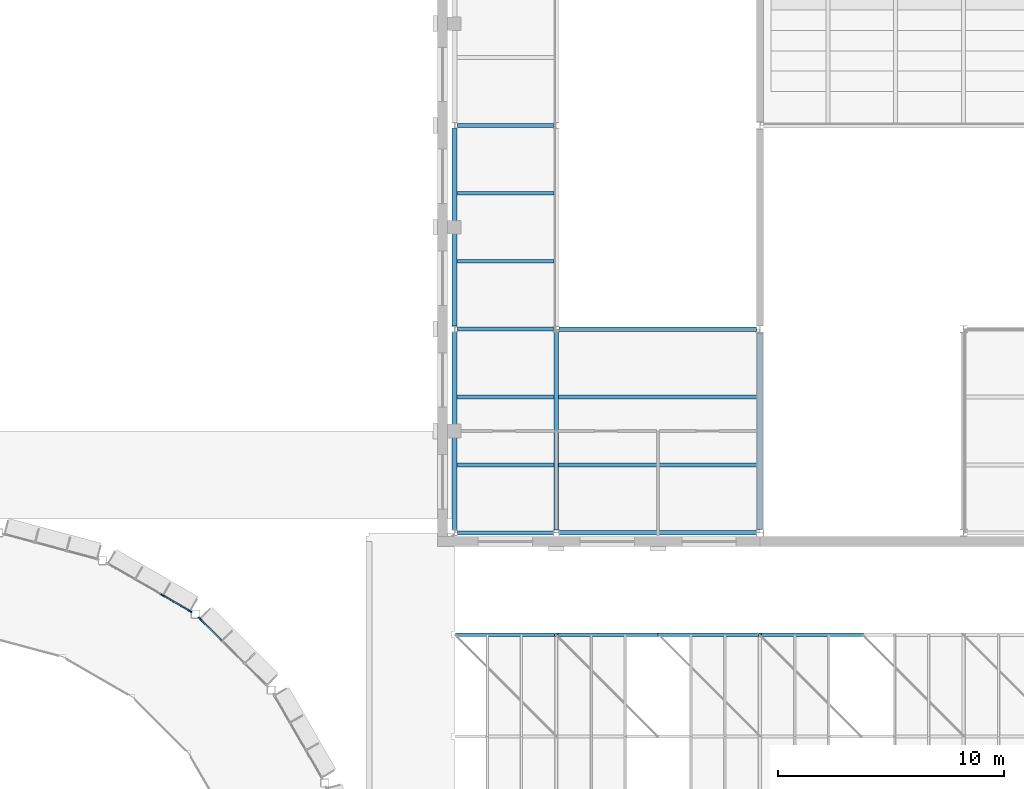
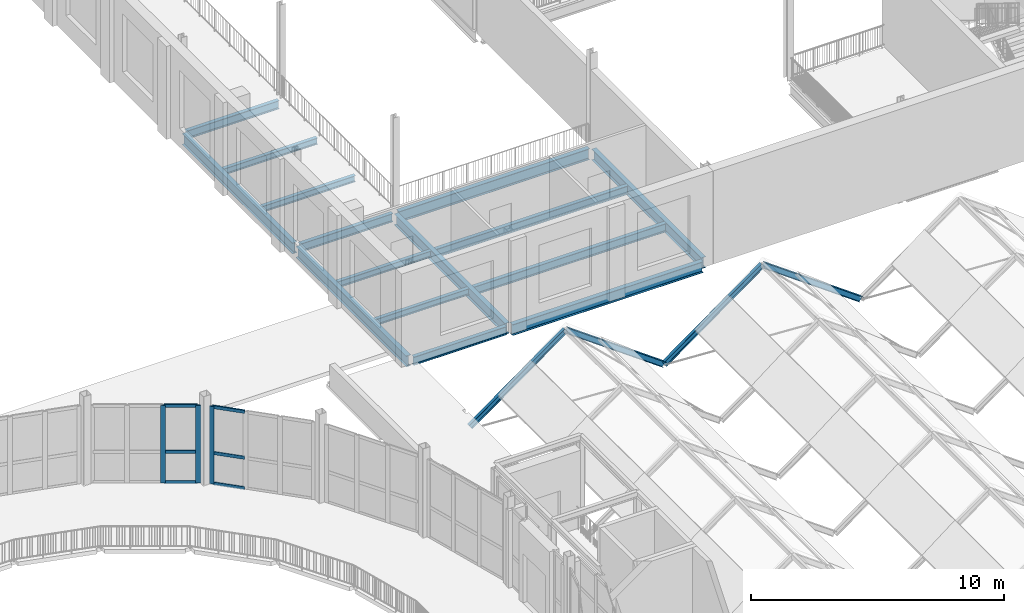
# One storey, part 24 of 74: 19 beams, 9 members, 2 elements without a shape of their own.
"""IFC4 building model written with IfcOpenShell, lengths in metres."""

from ifc_helpers import new_model, si_unit, direction, frame, origin, origin_2d, place, context, subcontext, project, spatial, rectangle, i_section, extrude, material, layer, layer_set, material_profile, profile_set, type_object, element, aggregate, save


model = new_model("IFC4")

# Units and contexts
model_context = context("Model", 3, precision=1e-05, world=origin(), true_north=direction((0.0, 1.0)))
body_context = subcontext(model_context, "Body", "Model", "MODEL_VIEW")
ifc_project = project(units=[si_unit("LENGTHUNIT", "METRE"), si_unit("AREAUNIT", "SQUARE_METRE"), si_unit("VOLUMEUNIT", "CUBIC_METRE"), si_unit("PLANEANGLEUNIT", "RADIAN"), si_unit("MASSUNIT", "GRAM", prefix="KILO")], contexts=[model_context])

# Site, building, storey
site_placement = place(None, origin())
site = spatial("IfcSite", under=ifc_project, at=site_placement, CompositionType="ELEMENT")
building_placement = place(site_placement, origin())
building = spatial("IfcBuilding", under=site, at=building_placement, Name="Hortulan Conservatory and Botanical Research Centre", CompositionType="ELEMENT")
storey_placement = place(building_placement, frame((0.0, 0.0, 6.0)))
storey = spatial("IfcBuildingStorey", under=building, at=storey_placement, Name="L01", CompositionType="ELEMENT", Elevation=6.0)

# Curtain wall, member
ifc_material_1 = material(Name="Bronze-finished aluminium", Category="aluminium")
ifc_layer = layer(ifc_material_1, 0.10009765625)
ifc_layer_set = layer_set([ifc_layer], Name="Bronze-framed Curtain Wall 1500 module")
curtain_wall_type = type_object("IfcCurtainWallType", Name="Bronze-framed Curtain Wall 1500 module", PredefinedType="NOTDEFINED", material=ifc_layer_set)
curtain_wall_1_placement = place(storey_placement, origin())
curtain_wall_1 = element("IfcCurtainWall", 1, at=curtain_wall_1_placement, inside=storey, type_object=curtain_wall_type, Name="Curtain wall", PredefinedType="NOTDEFINED")
ifc_material_profile_1 = material_profile(ifc_material_1, rectangle(XDim=0.06005859375, YDim=0.199951171875, at=origin_2d()), Name="Bronze Mullion 60x200")
ifc_profile_set_1 = profile_set([ifc_material_profile_1], Name="Bronze-finished aluminium")
member_type_1 = type_object("IfcMemberType", Name="Bronze Mullion 60x200", PredefinedType="MULLION", material=ifc_profile_set_1)
member_1_placement = place(storey_placement, frame((65.248291015625, 32.207763671875, 0.0), z_axis=(0.0, 0.0, 1.0), x_axis=(0.707106781187, 0.707106781187, 0.0)))
member_1 = element("IfcMember", 2, at=member_1_placement, type_object=member_type_1, Name="CW1 mullion 1", PredefinedType="MULLION", context=body_context, shape_type="SweptSolid", body=[
    extrude(rectangle(XDim=0.06005859375, YDim=0.199951171875, at=origin_2d()), origin(), (0.0, 0.0, 1.0), 3.75),
])

# Curtain wall, members
curtain_wall_2_placement = place(storey_placement, origin())
curtain_wall_2 = element("IfcCurtainWall", 3, at=curtain_wall_2_placement, inside=storey, type_object=curtain_wall_type, Name="Curtain wall", PredefinedType="NOTDEFINED")
member_2_placement = place(storey_placement, frame((63.614990234375, 33.2333984375, 0.0), z_axis=(0.0, 0.0, 1.0), x_axis=(0.499981160235, 0.866036280655, 0.0)))
member_2 = element("IfcMember", 4, at=member_2_placement, type_object=member_type_1, Name="CW1 mullion 3", PredefinedType="MULLION", context=body_context, shape_type="SweptSolid", body=[
    extrude(rectangle(XDim=0.06005859375, YDim=0.199951171875, at=origin_2d()), origin(), (0.0, 0.0, 1.0), 3.75),
])
member_3_placement = place(storey_placement, frame((64.81884765625, 32.538330078125, 0.0), z_axis=(0.0, 0.0, 1.0), x_axis=(0.499981160235, 0.866036280655, 0.0)))
member_3 = element("IfcMember", 5, at=member_3_placement, type_object=member_type_1, Name="CW1 mullion 4", PredefinedType="MULLION", context=body_context, shape_type="SweptSolid", body=[
    extrude(rectangle(XDim=0.06005859375, YDim=0.199951171875, at=origin_2d()), origin(), (0.0, 0.0, 1.0), 3.75),
])

# Member
ifc_material_profile_2 = material_profile(ifc_material_1, rectangle(XDim=0.06005859375, YDim=0.14990234375, at=origin_2d()), Name="Bronze Transom 60x150")
ifc_profile_set_2 = profile_set([ifc_material_profile_2], Name="Bronze-finished aluminium")
member_type_2 = type_object("IfcMemberType", Name="Bronze Transom 60x150", PredefinedType="USERDEFINED", material=ifc_profile_set_2)
member_4_placement = place(storey_placement, frame((65.26953125, 32.1865234375, 0.030029296875), z_axis=(0.707014644009, -0.70719890636, 0.0), x_axis=(0.70719890636, 0.707014644009, 0.0)))
member_4 = element("IfcMember", 6, at=member_4_placement, type_object=member_type_2, Name="CW1 transom 1.1", ObjectType="TRANSOM", PredefinedType="USERDEFINED", context=body_context, shape_type="SweptSolid", body=[
    extrude(rectangle(XDim=0.06005859375, YDim=0.14990234375, at=origin_2d()), origin(), (0.0, 0.0, 1.0), 1.324951171875),
])

member_5_placement = place(storey_placement, frame((65.26953125, 32.1865234375, 1.5), z_axis=(0.707014644009, -0.70719890636, 0.0), x_axis=(0.70719890636, 0.707014644009, 0.0)))
member_5 = element("IfcMember", 7, at=member_5_placement, type_object=member_type_2, Name="CW1 transom 1.2", ObjectType="TRANSOM", PredefinedType="USERDEFINED", context=body_context, shape_type="SweptSolid", body=[
    extrude(rectangle(XDim=0.06005859375, YDim=0.14990234375, at=origin_2d()), origin(), (0.0, 0.0, 1.0), 1.324951171875),
])

member_6_placement = place(storey_placement, frame((65.26953125, 32.1865234375, 3.719970703125), z_axis=(0.707014644009, -0.70719890636, 0.0), x_axis=(0.70719890636, 0.707014644009, 0.0)))
member_6 = element("IfcMember", 8, at=member_6_placement, type_object=member_type_2, Name="CW1 transom 1.3", ObjectType="TRANSOM", PredefinedType="USERDEFINED", context=body_context, shape_type="SweptSolid", body=[
    extrude(rectangle(XDim=0.06005859375, YDim=0.14990234375, at=origin_2d()), origin(), (0.0, 0.0, 1.0), 1.324951171875),
])

aggregate(curtain_wall_1, [member_1, member_4, member_5, member_6])

member_7_placement = place(storey_placement, frame((63.640869140625, 33.218505859375, 0.030029296875), z_axis=(0.866066400931, -0.499928984136, 0.0), x_axis=(0.499928984136, 0.866066400931, 0.0)))
member_7 = element("IfcMember", 9, at=member_7_placement, type_object=member_type_2, Name="CW1 transom 3.1", ObjectType="TRANSOM", PredefinedType="USERDEFINED", context=body_context, shape_type="SweptSolid", body=[
    extrude(rectangle(XDim=0.06005859375, YDim=0.14990234375, at=origin_2d()), origin(), (0.0, 0.0, 1.0), 1.330322265625),
])

member_8_placement = place(storey_placement, frame((63.640869140625, 33.218505859375, 1.5), z_axis=(0.866066400931, -0.499928984136, 0.0), x_axis=(0.499928984136, 0.866066400931, 0.0)))
member_8 = element("IfcMember", 10, at=member_8_placement, type_object=member_type_2, Name="CW1 transom 3.2", ObjectType="TRANSOM", PredefinedType="USERDEFINED", context=body_context, shape_type="SweptSolid", body=[
    extrude(rectangle(XDim=0.06005859375, YDim=0.14990234375, at=origin_2d()), origin(), (0.0, 0.0, 1.0), 1.330322265625),
])

member_9_placement = place(storey_placement, frame((63.640869140625, 33.218505859375, 3.719970703125), z_axis=(0.866066400931, -0.499928984136, 0.0), x_axis=(0.499928984136, 0.866066400931, 0.0)))
member_9 = element("IfcMember", 11, at=member_9_placement, type_object=member_type_2, Name="CW1 transom 3.3", ObjectType="TRANSOM", PredefinedType="USERDEFINED", context=body_context, shape_type="SweptSolid", body=[
    extrude(rectangle(XDim=0.06005859375, YDim=0.14990234375, at=origin_2d()), origin(), (0.0, 0.0, 1.0), 1.330322265625),
])

aggregate(curtain_wall_2, [member_2, member_3, member_7, member_8, member_9])

# Beams
ifc_material_2 = material(Name="Steel Grade 300PLUS (AS/NZS 3679.1, 280 MPa minimum yield)", Category="steel")
ifc_material_profile_3 = material_profile(ifc_material_2, i_section(OverallWidth=0.14599609375, OverallDepth=0.251953125, WebThickness=0.006103515625, FlangeThickness=0.008544921875, FilletRadius=0.0087890625, at=origin_2d()), Name="250UB31.4")
ifc_profile_set_3 = profile_set([ifc_material_profile_3], Name="Steel Grade 300PLUS (AS/NZS 3679.1, 280 MPa minimum yield)")
beam_type_1 = type_object("IfcBeamType", Name="Climate House Rafter 250UB31.4", PredefinedType="BEAM", material=ifc_profile_set_3)
beam_1_placement = place(storey_placement, frame((76.625, 31.5, -0.806396484375), z_axis=(0.811435560969, 0.0, 0.584441896508), x_axis=(0.0, 1.0, 0.0)))
element("IfcBeam", 12, at=beam_1_placement, inside=storey, type_object=beam_type_1, Name="Temperate Glasshouse rafter west frame 8", PredefinedType="BEAM", context=body_context, shape_type="SweptSolid", body=[
    extrude(i_section(OverallWidth=0.14599609375, OverallDepth=0.251953125, WebThickness=0.006103515625, FlangeThickness=0.008544921875, FilletRadius=0.0087890625, at=origin_2d()), origin(), (0.0, 0.0, 1.0), 5.3916015625),
])
for number, where, z_axis, x_axis, name in (
    (13, (85.5, 31.5, -0.896484375), (-0.811430788987, 0.0, 0.584448521842), (0.0, -1.0, 0.0), "Temperate Glasshouse rafter east frame 8"),
    (14, (85.5, 31.5, -0.896484375), (0.811430788987, 0.0, 0.584448521842), (0.0, 1.0, 0.0), "Arid Glasshouse rafter west frame 8"),
    (15, (94.5, 31.5, -0.896484375), (-0.811430788987, 0.0, 0.584448521842), (0.0, -1.0, 0.0), "Arid Glasshouse rafter east frame 8"),
):
    element("IfcBeam", number, at=place(storey_placement, frame(where, z_axis=z_axis, x_axis=x_axis)), inside=storey, type_object=beam_type_1, Name=name, PredefinedType="BEAM", context=body_context, shape_type="SweptSolid", body=[
        extrude(i_section(OverallWidth=0.14599609375, OverallDepth=0.251953125, WebThickness=0.006103515625, FlangeThickness=0.008544921875, FilletRadius=0.0087890625, at=origin_2d()), origin(), (0.0, 0.0, 1.0), 5.545654296875),
    ])
ifc_material_profile_4 = material_profile(ifc_material_2, i_section(OverallWidth=0.177978515625, OverallDepth=0.403076171875, WebThickness=0.007568359375, FlangeThickness=0.010986328125, FilletRadius=0.011474609375, at=origin_2d()), Name="410UB53.7")
ifc_profile_set_4 = profile_set([ifc_material_profile_4], Name="Steel Grade 300PLUS (AS/NZS 3679.1, 280 MPa minimum yield)")
beam_type_2 = type_object("IfcBeamType", Name="Primary Beam 410UB53.7", PredefinedType="BEAM", material=ifc_profile_set_4)
beam_2_placement = place(storey_placement, frame((76.6279296875, 36.0, -0.33154296875), z_axis=(1.0, 0.0, 0.0), x_axis=(0.0, 1.0, 0.0)))
element("IfcBeam", 16, at=beam_2_placement, inside=storey, type_object=beam_type_2, Name="410UB53.7 girder", PredefinedType="BEAM", context=body_context, shape_type="SweptSolid", body=[
    extrude(i_section(OverallWidth=0.177978515625, OverallDepth=0.403076171875, WebThickness=0.007568359375, FlangeThickness=0.010986328125, FilletRadius=0.011474609375, at=origin_2d()), origin(), (0.0, 0.0, 1.0), 4.2421875),
])
for number, where, z_axis, x_axis, name in (
    (17, (76.6279296875, 45.0, -0.33154296875), (1.0, 0.0, 0.0), (0.0, 1.0, 0.0), "410UB53.7 girder"),
    (18, (76.6279296875, 54.0, -0.33154296875), (1.0, 0.0, 0.0), (0.0, 1.0, 0.0), "410UB53.7 girder"),
):
    element("IfcBeam", number, at=place(storey_placement, frame(where, z_axis=z_axis, x_axis=x_axis)), inside=storey, type_object=beam_type_2, Name=name, PredefinedType="BEAM", context=body_context, shape_type="SweptSolid", body=[
        extrude(i_section(OverallWidth=0.177978515625, OverallDepth=0.403076171875, WebThickness=0.007568359375, FlangeThickness=0.010986328125, FilletRadius=0.011474609375, at=origin_2d()), origin(), (0.0, 0.0, 1.0), 4.244140625),
    ])
ifc_material_profile_5 = material_profile(ifc_material_2, i_section(OverallWidth=0.208984375, OverallDepth=0.528076171875, WebThickness=0.009521484375, FlangeThickness=0.01318359375, FilletRadius=0.013916015625, at=origin_2d()), Name="530UB82.0")
ifc_profile_set_5 = profile_set([ifc_material_profile_5], Name="Steel Grade 300PLUS (AS/NZS 3679.1, 280 MPa minimum yield)")
beam_type_3 = type_object("IfcBeamType", Name="Primary Beam 530UB82.0", PredefinedType="BEAM", material=ifc_profile_set_5)
for number, where, z_axis, x_axis, name in (
    (19, (76.5, 36.1298828125, -0.39404296875), (0.0, 1.0, 0.0), (-1.0, 0.0, 0.0), "530UB82.0 girder"),
    (20, (76.5, 45.1298828125, -0.39404296875), (0.0, 1.0, 0.0), (-1.0, 0.0, 0.0), "530UB82.0 girder"),
):
    element("IfcBeam", number, at=place(storey_placement, frame(where, z_axis=z_axis, x_axis=x_axis)), inside=storey, type_object=beam_type_3, Name=name, PredefinedType="BEAM", context=body_context, shape_type="SweptSolid", body=[
        extrude(i_section(OverallWidth=0.208984375, OverallDepth=0.528076171875, WebThickness=0.009521484375, FlangeThickness=0.01318359375, FilletRadius=0.013916015625, at=origin_2d()), origin(), (0.0, 0.0, 1.0), 8.740234375),
    ])
beam_3_placement = place(storey_placement, frame((81.1298828125, 36.0, -0.39404296875), z_axis=(1.0, 0.0, 0.0), x_axis=(0.0, 1.0, 0.0)))
element("IfcBeam", 21, at=beam_3_placement, inside=storey, type_object=beam_type_3, Name="530UB82.0 girder", PredefinedType="BEAM", context=body_context, shape_type="SweptSolid", body=[
    extrude(i_section(OverallWidth=0.208984375, OverallDepth=0.528076171875, WebThickness=0.009521484375, FlangeThickness=0.01318359375, FilletRadius=0.013916015625, at=origin_2d()), origin(), (0.0, 0.0, 1.0), 8.709716796875),
])
beam_4_placement = place(storey_placement, frame((81.1279296875, 45.0, -0.39404296875), z_axis=(1.0, 0.0, 0.0), x_axis=(0.0, 1.0, 0.0)))
element("IfcBeam", 22, at=beam_4_placement, inside=storey, type_object=beam_type_3, Name="530UB82.0 girder", PredefinedType="BEAM", context=body_context, shape_type="SweptSolid", body=[
    extrude(i_section(OverallWidth=0.208984375, OverallDepth=0.528076171875, WebThickness=0.009521484375, FlangeThickness=0.01318359375, FilletRadius=0.013916015625, at=origin_2d()), origin(), (0.0, 0.0, 1.0), 8.717529296875),
])
beam_5_placement = place(storey_placement, frame((90.0, 36.154541015625, -0.39404296875), z_axis=(0.0, 1.0, 0.0), x_axis=(-1.0, 0.0, 0.0)))
element("IfcBeam", 23, at=beam_5_placement, inside=storey, type_object=beam_type_3, Name="530UB82.0 girder", PredefinedType="BEAM", context=body_context, shape_type="SweptSolid", body=[
    extrude(i_section(OverallWidth=0.208984375, OverallDepth=0.528076171875, WebThickness=0.009521484375, FlangeThickness=0.01318359375, FilletRadius=0.013916015625, at=origin_2d()), origin(), (0.0, 0.0, 1.0), 8.68505859375),
])
ifc_material_profile_6 = material_profile(ifc_material_2, i_section(OverallWidth=0.208984375, OverallDepth=0.532958984375, WebThickness=0.01025390625, FlangeThickness=0.015625, FilletRadius=0.013916015625, at=origin_2d()), Name="530UB92.4")
ifc_profile_set_6 = profile_set([ifc_material_profile_6], Name="Steel Grade 300PLUS (AS/NZS 3679.1, 280 MPa minimum yield)")
beam_type_4 = type_object("IfcBeamType", Name="Primary Beam 530UB92.4", PredefinedType="BEAM", material=ifc_profile_set_6)
beam_6_placement = place(storey_placement, frame((81.0, 36.1279296875, -0.396484375), z_axis=(0.0, 1.0, 0.0), x_axis=(-1.0, 0.0, 0.0)))
element("IfcBeam", 24, at=beam_6_placement, inside=storey, type_object=beam_type_4, Name="530UB92.4 girder", PredefinedType="BEAM", context=body_context, shape_type="SweptSolid", body=[
    extrude(i_section(OverallWidth=0.208984375, OverallDepth=0.532958984375, WebThickness=0.01025390625, FlangeThickness=0.015625, FilletRadius=0.013916015625, at=origin_2d()), origin(), (0.0, 0.0, 1.0), 8.7421875),
])
ifc_material_profile_7 = material_profile(ifc_material_2, i_section(OverallWidth=0.1650390625, OverallDepth=0.303955078125, WebThickness=0.006103515625, FlangeThickness=0.01025390625, FilletRadius=0.011474609375, at=origin_2d()), Name="310UB40.4")
ifc_profile_set_7 = profile_set([ifc_material_profile_7], Name="Steel Grade 300PLUS (AS/NZS 3679.1, 280 MPa minimum yield)")
beam_type_5 = type_object("IfcBeamType", Name="Secondary Beam 310UB40.4", PredefinedType="JOIST", material=ifc_profile_set_7)
for number, where, z_axis, x_axis, name in (
    (25, (76.6044921875, 39.0, -0.281982421875), (1.0, 0.0, 0.0), (0.0, 1.0, 0.0), "310UB40.4 secondary beam"),
    (26, (76.6044921875, 42.0, -0.281982421875), (1.0, 0.0, 0.0), (0.0, 1.0, 0.0), "310UB40.4 secondary beam"),
    (27, (76.6044921875, 48.0, -0.281982421875), (1.0, 0.0, 0.0), (0.0, 1.0, 0.0), "310UB40.4 secondary beam"),
    (28, (76.6044921875, 51.0, -0.281982421875), (1.0, 0.0, 0.0), (0.0, 1.0, 0.0), "310UB40.4 secondary beam"),
):
    element("IfcBeam", number, at=place(storey_placement, frame(where, z_axis=z_axis, x_axis=x_axis)), inside=storey, type_object=beam_type_5, Name=name, PredefinedType="JOIST", context=body_context, shape_type="SweptSolid", body=[
        extrude(i_section(OverallWidth=0.1650390625, OverallDepth=0.303955078125, WebThickness=0.006103515625, FlangeThickness=0.01025390625, FilletRadius=0.011474609375, at=origin_2d()), origin(), (0.0, 0.0, 1.0), 4.291015625),
    ])
ifc_material_profile_8 = material_profile(ifc_material_2, i_section(OverallWidth=0.177978515625, OverallDepth=0.406005859375, WebThickness=0.0078125, FlangeThickness=0.0126953125, FilletRadius=0.011474609375, at=origin_2d()), Name="410UB59.7")
ifc_profile_set_8 = profile_set([ifc_material_profile_8], Name="Steel Grade 300PLUS (AS/NZS 3679.1, 280 MPa minimum yield)")
beam_type_6 = type_object("IfcBeamType", Name="Secondary Beam 410UB59.7", PredefinedType="JOIST", material=ifc_profile_set_8)
for number, where, z_axis, x_axis, name in (
    (29, (81.1044921875, 39.0, -0.3330078125), (1.0, 0.0, 0.0), (0.0, 1.0, 0.0), "410UB59.7 secondary beam"),
    (30, (81.1044921875, 42.0, -0.3330078125), (1.0, 0.0, 0.0), (0.0, 1.0, 0.0), "410UB59.7 secondary beam"),
):
    element("IfcBeam", number, at=place(storey_placement, frame(where, z_axis=z_axis, x_axis=x_axis)), inside=storey, type_object=beam_type_6, Name=name, PredefinedType="JOIST", context=body_context, shape_type="SweptSolid", body=[
        extrude(i_section(OverallWidth=0.177978515625, OverallDepth=0.406005859375, WebThickness=0.0078125, FlangeThickness=0.0126953125, FilletRadius=0.011474609375, at=origin_2d()), origin(), (0.0, 0.0, 1.0), 8.791015625),
    ])

save(model, "model.ifc")
